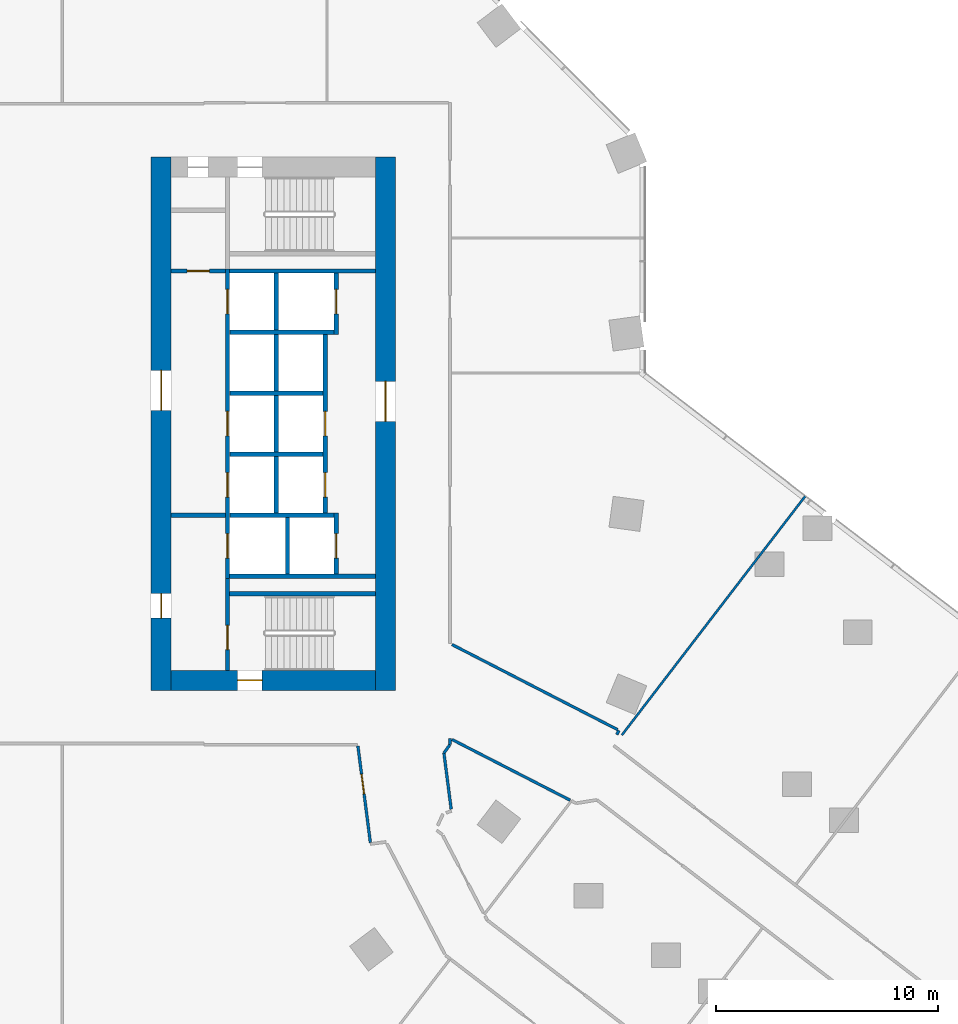
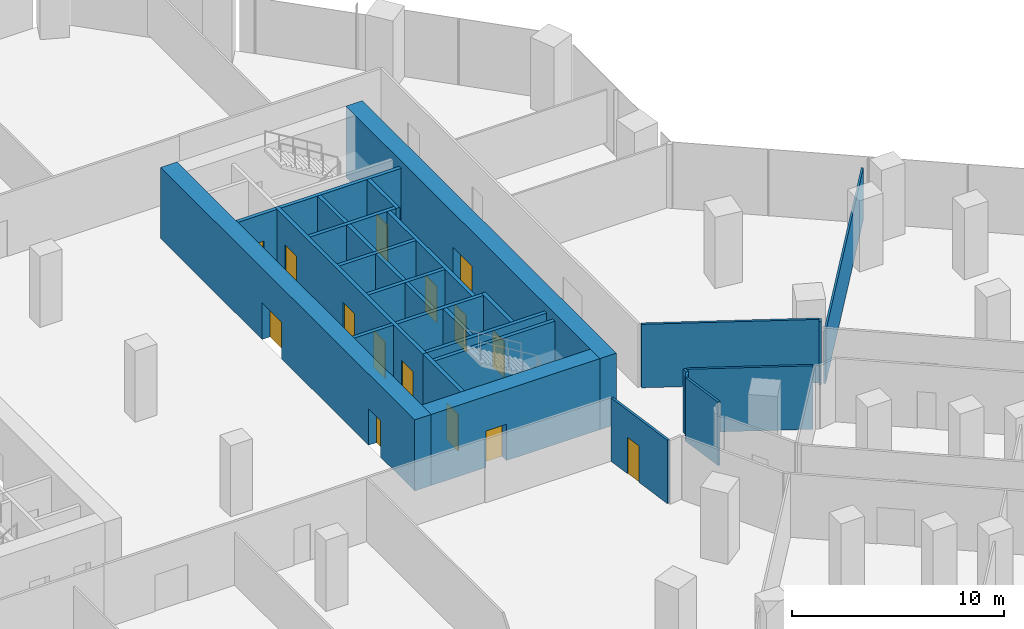
# One storey, part 25 of 29: 30 walls, 15 doors, 15 openings.
"""IFC4 building model written with IfcOpenShell, lengths in metres."""

from ifc_helpers import new_model, si_unit, direction, frame, frame_2d, origin, place, context, subcontext, project, spatial, rectangle, extrude, material, layer, layer_set, type_object, element, fill, save


model = new_model("IFC4")

# Units and contexts
model_context = context("Model", 3, precision=1e-05, world=origin(), true_north=direction((0.0, 1.0)))
body_context = subcontext(model_context, "Body", "Model", "MODEL_VIEW")
ifc_project = project(units=[si_unit("LENGTHUNIT", "METRE"), si_unit("AREAUNIT", "SQUARE_METRE"), si_unit("VOLUMEUNIT", "CUBIC_METRE"), si_unit("PLANEANGLEUNIT", "RADIAN"), si_unit("MASSUNIT", "GRAM", prefix="KILO")], contexts=[model_context])

# Site, building, storey
site_placement = place(None, origin())
site = spatial("IfcSite", under=ifc_project, at=site_placement, CompositionType="ELEMENT")
building_placement = place(site_placement, origin())
building = spatial("IfcBuilding", under=site, at=building_placement, Name="Orlundy Tower", CompositionType="ELEMENT")
storey_placement = place(building_placement, frame((0.0, 0.0, 29.199951171875)))
storey = spatial("IfcBuildingStorey", under=building, at=storey_placement, Name="L05", CompositionType="ELEMENT", Elevation=29.199951171875)

# Wall, opening, door
ifc_material_1 = material(Name="Concrete C80/95", Category="concrete")
ifc_layer_1 = layer(ifc_material_1, 0.89990234375)
ifc_layer_set_1 = layer_set([ifc_layer_1], Name="CORE WALL 900 C80/95")
wall_type_1 = type_object("IfcWallType", Name="CORE WALL 900 C80/95", PredefinedType="SHEAR", material=ifc_layer_set_1)
wall_1_placement = place(storey_placement, frame((8.89990234375, -11.550048828125, 0.0), z_axis=(0.0, 0.0, 1.0), x_axis=(1.0, 0.0, 0.0)))
wall_1 = element("IfcWall", 1, at=wall_1_placement, inside=storey, type_object=wall_type_1, Name="Core wall E-S L05", PredefinedType="SHEAR", context=body_context, shape_type="SweptSolid", body=[
    extrude(rectangle(XDim=9.2001953125, YDim=0.89990234375, at=frame_2d((4.60009765625, 0.0))), origin(), (0.0, 0.0, 1.0), 4.10009765625),
])
opening_1_placement = place(wall_1_placement, frame((3.0, 0.0, 0.0)))
opening_1 = element("IfcOpeningElement", 2, at=opening_1_placement, cuts=wall_1, Name="Opening 06061", PredefinedType="OPENING", context=body_context, shape_type="SweptSolid", body=[
    extrude(rectangle(XDim=1.10009765625, YDim=2.10009765625, at=frame_2d((0.550048828125, 1.050048828125))), frame((0.0, 0.4599609375, 0.0), z_axis=(0.0, -1.0, 0.0), x_axis=(1.0, 0.0, 0.0)), (0.0, 0.0, 1.0), 0.919921875),
])
ifc_material_2 = material(Name="Steel door set", Category="steel")
door_type_1 = type_object("IfcDoorType", Name="Stair Door 1100x2100", OperationType="SINGLE_SWING_LEFT", PredefinedType="DOOR", material=ifc_material_2)
door_1_placement = place(opening_1_placement, origin())
door_1 = element("IfcDoor", 3, at=door_1_placement, inside=storey, type_object=door_type_1, Name="Stair door 06061", OperationType="SINGLE_SWING_LEFT", OverallHeight=2.10009765625, OverallWidth=1.10009765625, PredefinedType="DOOR", context=body_context, shape_type="SweptSolid", body=[
    extrude(rectangle(XDim=1.10009765625, YDim=2.10009765625, at=frame_2d((0.550048828125, 1.050048828125))), frame((0.0, 0.02490234375, 0.0), z_axis=(0.0, -1.0, 0.0), x_axis=(1.0, 0.0, 0.0)), (0.0, 0.0, 1.0), 0.050048828125),
])
fill(opening_1, door_1)

# Wall, openings, doors
wall_2_placement = place(storey_placement, frame((8.449951171875, -12.0, 0.0), z_axis=(0.0, 0.0, 1.0), x_axis=(0.0, 1.0, 0.0)))
wall_2 = element("IfcWall", 4, at=wall_2_placement, inside=storey, type_object=wall_type_1, Name="Core wall E-W L05", PredefinedType="SHEAR", context=body_context, shape_type="SweptSolid", body=[
    extrude(rectangle(XDim=24.0, YDim=0.89990234375, at=frame_2d((12.0, 0.0))), origin(), (0.0, 0.0, 1.0), 4.10009765625),
])
opening_2_placement = place(wall_2_placement, frame((12.60009765625, 0.0, 0.0)))
opening_2 = element("IfcOpeningElement", 5, at=opening_2_placement, cuts=wall_2, Name="Opening 06058", PredefinedType="OPENING", context=body_context, shape_type="SweptSolid", body=[
    extrude(rectangle(XDim=1.800048828125, YDim=2.10009765625, at=frame_2d((0.89990234375, 1.050048828125))), frame((0.0, 0.4599609375, 0.0), z_axis=(0.0, -1.0, 0.0), x_axis=(1.0, 0.0, 0.0)), (0.0, 0.0, 1.0), 0.919921875),
])
opening_3_placement = place(wall_2_placement, frame((3.25, 0.0, 0.0)))
opening_3 = element("IfcOpeningElement", 6, at=opening_3_placement, cuts=wall_2, Name="Opening 06060", PredefinedType="OPENING", context=body_context, shape_type="SweptSolid", body=[
    extrude(rectangle(XDim=1.10009765625, YDim=2.10009765625, at=frame_2d((0.550048828125, 1.050048828125))), frame((0.0, 0.4599609375, 0.0), z_axis=(0.0, -1.0, 0.0), x_axis=(1.0, 0.0, 0.0)), (0.0, 0.0, 1.0), 0.919921875),
])
ifc_material_3 = material(Name="Steel door set", Category="steel")
door_type_2 = type_object("IfcDoorType", Name="Fire-fighting Lobby Door 1100x2100", OperationType="SINGLE_SWING_LEFT", PredefinedType="DOOR", material=ifc_material_3)
door_2_placement = place(opening_3_placement, origin())
door_2 = element("IfcDoor", 7, at=door_2_placement, inside=storey, type_object=door_type_2, Name="Fire-fighting lobby door 06060", OperationType="SINGLE_SWING_LEFT", OverallHeight=2.10009765625, OverallWidth=1.10009765625, PredefinedType="DOOR", context=body_context, shape_type="SweptSolid", body=[
    extrude(rectangle(XDim=1.10009765625, YDim=2.10009765625, at=frame_2d((0.550048828125, 1.050048828125))), frame((0.0, 0.02490234375, 0.0), z_axis=(0.0, -1.0, 0.0), x_axis=(1.0, 0.0, 0.0)), (0.0, 0.0, 1.0), 0.050048828125),
])
fill(opening_3, door_2)
ifc_material_4 = material(Name="Timber door set", Category="wood")
door_type_3 = type_object("IfcDoorType", Name="Lobby Door 1800x2100", OperationType="DOUBLE_DOOR_DOUBLE_SWING", PredefinedType="DOOR", material=ifc_material_4)
door_3_placement = place(opening_2_placement, origin())
door_3 = element("IfcDoor", 8, at=door_3_placement, inside=storey, type_object=door_type_3, Name="Lift lobby door 06058", OperationType="SINGLE_SWING_RIGHT", OverallHeight=2.10009765625, OverallWidth=1.800048828125, PredefinedType="DOOR", context=body_context, shape_type="SweptSolid", body=[
    extrude(rectangle(XDim=1.800048828125, YDim=2.10009765625, at=frame_2d((0.89990234375, 1.050048828125))), frame((0.0, 0.02490234375, 0.0), z_axis=(0.0, -1.0, 0.0), x_axis=(1.0, 0.0, 0.0)), (0.0, 0.0, 1.0), 0.050048828125),
])
fill(opening_2, door_3)

# Wall, opening, door
wall_3_placement = place(storey_placement, frame((18.550048828125, -12.0, 0.0), z_axis=(0.0, 0.0, 1.0), x_axis=(0.0, 1.0, 0.0)))
wall_3 = element("IfcWall", 9, at=wall_3_placement, inside=storey, type_object=wall_type_1, Name="Core wall E-E L05", PredefinedType="SHEAR", context=body_context, shape_type="SweptSolid", body=[
    extrude(rectangle(XDim=24.0, YDim=0.89990234375, at=frame_2d((12.0, 0.0))), origin(), (0.0, 0.0, 1.0), 4.10009765625),
])
opening_4_placement = place(wall_3_placement, frame((12.10009765625, 0.0, 0.0)))
opening_4 = element("IfcOpeningElement", 10, at=opening_4_placement, cuts=wall_3, Name="Opening 06059", PredefinedType="OPENING", context=body_context, shape_type="SweptSolid", body=[
    extrude(rectangle(XDim=1.800048828125, YDim=2.10009765625, at=frame_2d((0.89990234375, 1.050048828125))), frame((0.0, 0.4599609375, 0.0), z_axis=(0.0, -1.0, 0.0), x_axis=(1.0, 0.0, 0.0)), (0.0, 0.0, 1.0), 0.919921875),
])
door_4_placement = place(opening_4_placement, origin())
door_4 = element("IfcDoor", 11, at=door_4_placement, inside=storey, type_object=door_type_3, Name="Lift lobby door 06059", OperationType="SINGLE_SWING_RIGHT", OverallHeight=2.10009765625, OverallWidth=1.800048828125, PredefinedType="DOOR", context=body_context, shape_type="SweptSolid", body=[
    extrude(rectangle(XDim=1.800048828125, YDim=2.10009765625, at=frame_2d((0.89990234375, 1.050048828125))), frame((0.0, 0.02490234375, 0.0), z_axis=(0.0, -1.0, 0.0), x_axis=(1.0, 0.0, 0.0)), (0.0, 0.0, 1.0), 0.050048828125),
])
fill(opening_4, door_4)

# Wall
ifc_material_5 = material(Name="Gypsum board partition")
ifc_layer_2 = layer(ifc_material_5, 0.10009765625)
ifc_layer_set_2 = layer_set([ifc_layer_2], Name="Floor partition 100 B")
wall_type_2 = type_object("IfcWallType", Name="Floor partition 100 B", PredefinedType="PARTITIONING", material=ifc_layer_set_2)
wall_4_placement = place(storey_placement, frame((29.194091796875, -14.014892578125, 0.0), z_axis=(0.0, 0.0, 1.0), x_axis=(0.608832188233, 0.793299039815, 0.0)))
element("IfcWall", 12, at=wall_4_placement, inside=storey, type_object=wall_type_2, Name="wall-int-L05-084", PredefinedType="PARTITIONING", context=body_context, shape_type="SweptSolid", body=[
    extrude(rectangle(XDim=13.59619140625, YDim=0.10009765625, at=frame_2d((6.798095703125, 0.0))), origin(), (0.0, 0.0, 1.0), 3.025146484375),
])

# Wall, opening, door
ifc_material_6 = material(Name="Gypsum board partition, double layer")
ifc_layer_3 = layer(ifc_material_6, 0.125)
ifc_layer_set_3 = layer_set([ifc_layer_3], Name="Floor partition 125")
wall_type_3 = type_object("IfcWallType", Name="Floor partition 125", PredefinedType="PARTITIONING", material=ifc_layer_set_3)
wall_5_placement = place(storey_placement, frame((17.87109375, -18.861083984375, 0.0), z_axis=(0.0, 0.0, 1.0), x_axis=(-0.127967803782, 0.991778322608, 0.0)))
wall_5 = element("IfcWall", 13, at=wall_5_placement, inside=storey, type_object=wall_type_3, Name="wall-int-L05-004", PredefinedType="PARTITIONING", context=body_context, shape_type="SweptSolid", body=[
    extrude(rectangle(XDim=4.38427734375, YDim=0.125, at=frame_2d((2.192138671875, 0.0))), origin(), (0.0, 0.0, 1.0), 3.66015625),
])
opening_5_placement = place(wall_5_placement, frame((2.21240234375, 0.0, 0.0)))
opening_5 = element("IfcOpeningElement", 14, at=opening_5_placement, cuts=wall_5, Name="Opening 06129", PredefinedType="OPENING", context=body_context, shape_type="SweptSolid", body=[
    extrude(rectangle(XDim=0.89990234375, YDim=2.10009765625, at=frame_2d((0.449951171875, 1.050048828125))), frame((0.0, 0.072509765625, 0.0), z_axis=(0.0, -1.0, 0.0), x_axis=(1.0, 0.0, 0.0)), (0.0, 0.0, 1.0), 0.14501953125),
])
ifc_material_7 = material(Name="Timber door leaf", Category="wood")
door_type_4 = type_object("IfcDoorType", Name="Floor door single 900 FD30S", OperationType="NOTDEFINED", PredefinedType="DOOR", material=ifc_material_7)
door_5_placement = place(opening_5_placement, origin())
door_5 = element("IfcDoor", 15, at=door_5_placement, inside=storey, type_object=door_type_4, Name="Door 06129", OperationType="SINGLE_SWING_RIGHT", OverallHeight=2.10009765625, OverallWidth=0.89990234375, PredefinedType="DOOR", context=body_context, shape_type="SweptSolid", body=[
    extrude(rectangle(XDim=0.89990234375, YDim=2.10009765625, at=frame_2d((0.449951171875, 1.050048828125))), frame((0.0, 0.02490234375, 0.0), z_axis=(0.0, -1.0, 0.0), x_axis=(1.0, 0.0, 0.0)), (0.0, 0.0, 1.0), 0.050048828125),
])
fill(opening_5, door_5)

# Walls
wall_6_placement = place(storey_placement, frame((21.181884765625, -14.825927734375, 0.0), z_axis=(0.0, 0.0, 1.0), x_axis=(0.128335992274, -0.991730746265, 0.0)))
element("IfcWall", 16, at=wall_6_placement, inside=storey, type_object=wall_type_3, Name="wall-int-L05-005", PredefinedType="PARTITIONING", context=body_context, shape_type="SweptSolid", body=[
    extrude(rectangle(XDim=2.549072265625, YDim=0.125, at=frame_2d((1.2744140625, 0.0))), origin(), (0.0, 0.0, 1.0), 3.66015625),
])
wall_7_placement = place(storey_placement, frame((21.541015625, -14.214111328125, 0.0), z_axis=(0.0, 0.0, 1.0), x_axis=(0.889437525622, -0.457056766732, 0.0)))
element("IfcWall", 17, at=wall_7_placement, inside=storey, type_object=wall_type_3, Name="wall-int-L05-036", PredefinedType="PARTITIONING", context=body_context, shape_type="SweptSolid", body=[
    extrude(rectangle(XDim=5.98583984375, YDim=0.125, at=frame_2d((2.992919921875, 0.0))), origin(), (0.0, 0.0, 1.0), 3.66015625),
])
wall_8_placement = place(storey_placement, frame((21.541015625, -9.93994140625, 0.0), z_axis=(0.0, 0.0, 1.0), x_axis=(0.889469569246, -0.456994404107, 0.0)))
element("IfcWall", 18, at=wall_8_placement, inside=storey, type_object=wall_type_3, Name="wall-int-L05-037", PredefinedType="PARTITIONING", context=body_context, shape_type="SweptSolid", body=[
    extrude(rectangle(XDim=8.393798828125, YDim=0.125, at=frame_2d((4.19677734375, 0.0))), origin(), (0.0, 0.0, 1.0), 3.66015625),
])
wall_9_placement = place(storey_placement, frame((21.181884765625, -14.825927734375, 0.0), z_axis=(0.0, 0.0, 1.0), x_axis=(0.581538757464, 0.813518698966, 0.0)))
element("IfcWall", 19, at=wall_9_placement, inside=storey, type_object=wall_type_3, Name="wall-int-L05-041", PredefinedType="PARTITIONING", context=body_context, shape_type="SweptSolid", body=[
    extrude(rectangle(XDim=0.4609375, YDim=0.125, at=frame_2d((0.23046875, 0.0))), origin(), (0.0, 0.0, 1.0), 3.66015625),
])
wall_10_placement = place(storey_placement, frame((28.9619140625, -14.0, 0.0), z_axis=(0.0, 0.0, 1.0), x_axis=(0.458358127557, 0.8887675888, 0.0)))
element("IfcWall", 20, at=wall_10_placement, inside=storey, type_object=wall_type_3, Name="wall-int-L05-085", PredefinedType="PARTITIONING", context=body_context, shape_type="SweptSolid", body=[
    extrude(rectangle(XDim=0.21826171875, YDim=0.125, at=frame_2d((0.109130859375, 0.0))), origin(), (0.0, 0.0, 1.0), 3.66015625),
])
wall_11_placement = place(storey_placement, frame((21.449951171875, -14.450927734375, 0.0), z_axis=(0.0, 0.0, 1.0), x_axis=(0.0, 1.0, 0.0)))
element("IfcWall", 21, at=wall_11_placement, inside=storey, type_object=wall_type_3, Name="wall-int-L05-090", PredefinedType="PARTITIONING", context=body_context, shape_type="SweptSolid", body=[
    extrude(rectangle(XDim=0.283935546875, YDim=0.125, at=frame_2d((0.14208984375, 0.0))), origin(), (0.0, 0.0, 1.0), 3.66015625),
])

# Wall, opening, door
ifc_material_8 = material(Name="Concrete C40/50", Category="concrete")
ifc_layer_4 = layer(ifc_material_8, 0.199951171875)
ifc_layer_set_4 = layer_set([ifc_layer_4], Name="Load-bearing Shaft Wall 200")
wall_type_4 = type_object("IfcWallType", Name="Load-bearing Shaft Wall 200", PredefinedType="SOLIDWALL", material=ifc_layer_set_4)
wall_12_placement = place(storey_placement, frame((11.43994140625, -6.97509765625, 0.0), z_axis=(0.0, 0.0, 1.0), x_axis=(0.0, -1.0, 0.0)))
wall_12 = element("IfcWall", 22, at=wall_12_placement, inside=storey, type_object=wall_type_4, Name="Shaft wall E06-stair-end-n", PredefinedType="SOLIDWALL", context=body_context, shape_type="SweptSolid", body=[
    extrude(rectangle(XDim=4.125, YDim=0.199951171875, at=frame_2d((2.0625, 0.0))), origin(), (0.0, 0.0, 1.0), 3.679931640625),
])
opening_6_placement = place(wall_12_placement, frame((2.10009765625, 0.0, 0.0)))
opening_6 = element("IfcOpeningElement", 23, at=opening_6_placement, cuts=wall_12, Name="Opening 06063", PredefinedType="OPENING", context=body_context, shape_type="SweptSolid", body=[
    extrude(rectangle(XDim=1.10009765625, YDim=2.10009765625, at=frame_2d((0.550048828125, 1.050048828125))), frame((0.0, 0.110107421875, 0.0), z_axis=(0.0, -1.0, 0.0), x_axis=(1.0, 0.0, 0.0)), (0.0, 0.0, 1.0), 0.22021484375),
])
door_6_placement = place(opening_6_placement, origin())
door_6 = element("IfcDoor", 24, at=door_6_placement, inside=storey, type_object=door_type_2, Name="Fire-fighting lobby to stair door 06063", OperationType="SINGLE_SWING_RIGHT", OverallHeight=2.10009765625, OverallWidth=1.10009765625, PredefinedType="DOOR", context=body_context, shape_type="SweptSolid", body=[
    extrude(rectangle(XDim=1.10009765625, YDim=2.10009765625, at=frame_2d((0.550048828125, 1.050048828125))), frame((0.0, 0.02490234375, 0.0), z_axis=(0.0, -1.0, 0.0), x_axis=(1.0, 0.0, 0.0)), (0.0, 0.0, 1.0), 0.050048828125),
])
fill(opening_6, door_6)

# Walls
wall_13_placement = place(storey_placement, frame((11.5400390625, -7.64990234375, 0.0), z_axis=(0.0, 0.0, 1.0), x_axis=(1.0, 0.0, 0.0)))
element("IfcWall", 25, at=wall_13_placement, inside=storey, type_object=wall_type_4, Name="Shaft wall E06-stair-side-n", PredefinedType="SOLIDWALL", context=body_context, shape_type="SweptSolid", body=[
    extrude(rectangle(XDim=6.56005859375, YDim=0.199951171875, at=frame_2d((3.280029296875, 0.0))), origin(), (0.0, 0.0, 1.0), 3.679931640625),
])
ifc_material_9 = material(Name="Gypsum board partition on steel studs", Category="steel")
ifc_layer_5 = layer(ifc_material_9, 0.199951171875)
ifc_layer_set_5 = layer_set([ifc_layer_5], Name="Partition 200")
wall_type_5 = type_object("IfcWallType", Name="Partition 200", PredefinedType="PARTITIONING", material=ifc_layer_set_5)
wall_14_placement = place(storey_placement, frame((8.89990234375, -4.125, 0.0), z_axis=(0.0, 0.0, 1.0), x_axis=(1.0, 0.0, 0.0)))
element("IfcWall", 26, at=wall_14_placement, inside=storey, type_object=wall_type_5, Name="Partition wall E06-lobby-n", PredefinedType="PARTITIONING", context=body_context, shape_type="SweptSolid", body=[
    extrude(rectangle(XDim=2.440185546875, YDim=0.199951171875, at=frame_2d((1.22021484375, 0.0))), origin(), (0.0, 0.0, 1.0), 3.679931640625),
])

# Wall, opening, door
wall_15_placement = place(storey_placement, frame((8.89990234375, 6.875, 0.0), z_axis=(0.0, 0.0, 1.0), x_axis=(1.0, 0.0, 0.0)))
wall_15 = element("IfcWall", 27, at=wall_15_placement, inside=storey, type_object=wall_type_5, Name="Partition wall E06-end-s", PredefinedType="PARTITIONING", context=body_context, shape_type="SweptSolid", body=[
    extrude(rectangle(XDim=2.440185546875, YDim=0.199951171875, at=frame_2d((1.22021484375, 0.0))), origin(), (0.0, 0.0, 1.0), 3.679931640625),
])
opening_7_placement = place(wall_15_placement, frame((0.719970703125, 0.0, 0.0)))
opening_7 = element("IfcOpeningElement", 28, at=opening_7_placement, cuts=wall_15, Name="Opening 06065", PredefinedType="OPENING", context=body_context, shape_type="SweptSolid", body=[
    extrude(rectangle(XDim=1.0, YDim=2.10009765625, at=frame_2d((0.5, 1.050048828125))), frame((0.0, 0.110107421875, 0.0), z_axis=(0.0, -1.0, 0.0), x_axis=(1.0, 0.0, 0.0)), (0.0, 0.0, 1.0), 0.22021484375),
])
ifc_material_10 = material(Name="Timber door set", Category="wood")
door_type_5 = type_object("IfcDoorType", Name="Accessible Door 1000x2100", OperationType="SINGLE_SWING_LEFT", PredefinedType="DOOR", material=ifc_material_10)
door_7_placement = place(opening_7_placement, origin())
door_7 = element("IfcDoor", 29, at=door_7_placement, inside=storey, type_object=door_type_5, Name="Accessible WC door 06065", OperationType="SINGLE_SWING_RIGHT", OverallHeight=2.10009765625, OverallWidth=1.0, PredefinedType="DOOR", context=body_context, shape_type="SweptSolid", body=[
    extrude(rectangle(XDim=1.0, YDim=2.10009765625, at=frame_2d((0.5, 1.050048828125))), frame((0.0, 0.02490234375, 0.0), z_axis=(0.0, -1.0, 0.0), x_axis=(1.0, 0.0, 0.0)), (0.0, 0.0, 1.0), 0.050048828125),
])
fill(opening_7, door_7)

# Walls
ifc_material_11 = material(Name="Fire-rated blockwork shaft wall", Category="masonry")
ifc_layer_6 = layer(ifc_material_11, 0.199951171875)
ifc_layer_set_6 = layer_set([ifc_layer_6], Name="Shaft Wall 200")
wall_type_6 = type_object("IfcWallType", Name="Shaft Wall 200", PredefinedType="SOLIDWALL", material=ifc_layer_set_6)
for number, where, z_axis, x_axis, name in (
    (30, (11.5400390625, -6.875, 0.0), (0.0, 0.0, 1.0), (1.0, 0.0, 0.0), "Shaft wall E06-zone-n"),
    (31, (11.5400390625, 6.875, 0.0), (0.0, 0.0, 1.0), (1.0, 0.0, 0.0), "Shaft wall E06-zone-s"),
):
    element("IfcWall", number, at=place(storey_placement, frame(where, z_axis=z_axis, x_axis=x_axis)), inside=storey, type_object=wall_type_6, Name=name, PredefinedType="SOLIDWALL", context=body_context, shape_type="SweptSolid", body=[
        extrude(rectangle(XDim=6.56005859375, YDim=0.199951171875, at=frame_2d((3.280029296875, 0.0))), origin(), (0.0, 0.0, 1.0), 3.679931640625),
    ])
wall_16_placement = place(storey_placement, frame((11.5400390625, 4.125, 0.0), z_axis=(0.0, 0.0, 1.0), x_axis=(1.0, 0.0, 0.0)))
element("IfcWall", 32, at=wall_16_placement, inside=storey, type_object=wall_type_6, Name="Shaft wall E06-cross-4.125", PredefinedType="SOLIDWALL", context=body_context, shape_type="SweptSolid", body=[
    extrude(rectangle(XDim=4.699951171875, YDim=0.199951171875, at=frame_2d((2.35009765625, 0.0))), origin(), (0.0, 0.0, 1.0), 3.679931640625),
])
for number, where, z_axis, x_axis, name in (
    (33, (11.5400390625, 1.375, 0.0), (0.0, 0.0, 1.0), (1.0, 0.0, 0.0), "Shaft wall E06-cross-1.375"),
    (34, (11.5400390625, -1.375, 0.0), (0.0, 0.0, 1.0), (1.0, 0.0, 0.0), "Shaft wall E06-cross+1.375"),
):
    element("IfcWall", number, at=place(storey_placement, frame(where, z_axis=z_axis, x_axis=x_axis)), inside=storey, type_object=wall_type_6, Name=name, PredefinedType="SOLIDWALL", context=body_context, shape_type="SweptSolid", body=[
        extrude(rectangle(XDim=4.199951171875, YDim=0.199951171875, at=frame_2d((2.10009765625, 0.0))), origin(), (0.0, 0.0, 1.0), 3.679931640625),
    ])
wall_17_placement = place(storey_placement, frame((11.5400390625, -4.125, 0.0), z_axis=(0.0, 0.0, 1.0), x_axis=(1.0, 0.0, 0.0)))
element("IfcWall", 35, at=wall_17_placement, inside=storey, type_object=wall_type_6, Name="Shaft wall E06-cross+4.125", PredefinedType="SOLIDWALL", context=body_context, shape_type="SweptSolid", body=[
    extrude(rectangle(XDim=4.699951171875, YDim=0.199951171875, at=frame_2d((2.35009765625, 0.0))), origin(), (0.0, 0.0, 1.0), 3.679931640625),
])

# Wall, openings, doors
wall_18_placement = place(storey_placement, frame((11.43994140625, 6.97509765625, 0.0), z_axis=(0.0, 0.0, 1.0), x_axis=(0.0, -1.0, 0.0)))
wall_18 = element("IfcWall", 36, at=wall_18_placement, inside=storey, type_object=wall_type_6, Name="Shaft wall E06-front-h", PredefinedType="SOLIDWALL", context=body_context, shape_type="SweptSolid", body=[
    extrude(rectangle(XDim=13.9501953125, YDim=0.199951171875, at=frame_2d((6.97509765625, 0.0))), origin(), (0.0, 0.0, 1.0), 3.679931640625),
])
opening_8_placement = place(wall_18_placement, frame((0.925048828125, 0.0, 0.0)))
opening_8 = element("IfcOpeningElement", 37, at=opening_8_placement, cuts=wall_18, Name="Opening 06050", PredefinedType="OPENING", context=body_context, shape_type="SweptSolid", body=[
    extrude(rectangle(XDim=1.10009765625, YDim=2.10009765625, at=frame_2d((0.550048828125, 1.050048828125))), frame((0.0, 0.110107421875, 0.0), z_axis=(0.0, -1.0, 0.0), x_axis=(1.0, 0.0, 0.0)), (0.0, 0.0, 1.0), 0.22021484375),
])
opening_9_placement = place(wall_18_placement, frame((6.425048828125, 0.0, 0.0)))
opening_9 = element("IfcOpeningElement", 38, at=opening_9_placement, cuts=wall_18, Name="Opening 06052", PredefinedType="OPENING", context=body_context, shape_type="SweptSolid", body=[
    extrude(rectangle(XDim=1.10009765625, YDim=2.10009765625, at=frame_2d((0.550048828125, 1.050048828125))), frame((0.0, 0.110107421875, 0.0), z_axis=(0.0, -1.0, 0.0), x_axis=(1.0, 0.0, 0.0)), (0.0, 0.0, 1.0), 0.22021484375),
])
opening_10_placement = place(wall_18_placement, frame((9.175048828125, 0.0, 0.0)))
opening_10 = element("IfcOpeningElement", 39, at=opening_10_placement, cuts=wall_18, Name="Opening 06054", PredefinedType="OPENING", context=body_context, shape_type="SweptSolid", body=[
    extrude(rectangle(XDim=1.10009765625, YDim=2.10009765625, at=frame_2d((0.550048828125, 1.050048828125))), frame((0.0, 0.110107421875, 0.0), z_axis=(0.0, -1.0, 0.0), x_axis=(1.0, 0.0, 0.0)), (0.0, 0.0, 1.0), 0.22021484375),
])
opening_11_placement = place(wall_18_placement, frame((11.925048828125, 0.0, 0.0)))
opening_11 = element("IfcOpeningElement", 40, at=opening_11_placement, cuts=wall_18, Name="Opening 06056", PredefinedType="OPENING", context=body_context, shape_type="SweptSolid", body=[
    extrude(rectangle(XDim=1.10009765625, YDim=2.10009765625, at=frame_2d((0.550048828125, 1.050048828125))), frame((0.0, 0.110107421875, 0.0), z_axis=(0.0, -1.0, 0.0), x_axis=(1.0, 0.0, 0.0)), (0.0, 0.0, 1.0), 0.22021484375),
])
ifc_material_12 = material(Name="Steel door set", Category="steel")
door_type_6 = type_object("IfcDoorType", Name="Landing Door 1100x2100", OperationType="DOUBLE_DOOR_SLIDING", PredefinedType="DOOR", material=ifc_material_12)
door_8_placement = place(opening_8_placement, origin())
door_8 = element("IfcDoor", 41, at=door_8_placement, inside=storey, type_object=door_type_6, Name="Lift landing door LPD-02 06050", OperationType="DOUBLE_DOOR_SLIDING", OverallHeight=2.10009765625, OverallWidth=1.10009765625, PredefinedType="DOOR", context=body_context, shape_type="SweptSolid", body=[
    extrude(rectangle(XDim=1.10009765625, YDim=2.10009765625, at=frame_2d((0.550048828125, 1.050048828125))), frame((0.0, 0.02490234375, 0.0), z_axis=(0.0, -1.0, 0.0), x_axis=(1.0, 0.0, 0.0)), (0.0, 0.0, 1.0), 0.050048828125),
])
fill(opening_8, door_8)
door_9_placement = place(opening_9_placement, origin())
door_9 = element("IfcDoor", 42, at=door_9_placement, inside=storey, type_object=door_type_6, Name="Lift landing door LP-10 06052", OperationType="DOUBLE_DOOR_SLIDING", OverallHeight=2.10009765625, OverallWidth=1.10009765625, PredefinedType="DOOR", context=body_context, shape_type="SweptSolid", body=[
    extrude(rectangle(XDim=1.10009765625, YDim=2.10009765625, at=frame_2d((0.550048828125, 1.050048828125))), frame((0.0, 0.02490234375, 0.0), z_axis=(0.0, -1.0, 0.0), x_axis=(1.0, 0.0, 0.0)), (0.0, 0.0, 1.0), 0.050048828125),
])
fill(opening_9, door_9)
door_10_placement = place(opening_10_placement, origin())
door_10 = element("IfcDoor", 43, at=door_10_placement, inside=storey, type_object=door_type_6, Name="Lift landing door LP-07 06054", OperationType="DOUBLE_DOOR_SLIDING", OverallHeight=2.10009765625, OverallWidth=1.10009765625, PredefinedType="DOOR", context=body_context, shape_type="SweptSolid", body=[
    extrude(rectangle(XDim=1.10009765625, YDim=2.10009765625, at=frame_2d((0.550048828125, 1.050048828125))), frame((0.0, 0.02490234375, 0.0), z_axis=(0.0, -1.0, 0.0), x_axis=(1.0, 0.0, 0.0)), (0.0, 0.0, 1.0), 0.050048828125),
])
fill(opening_10, door_10)
door_11_placement = place(opening_11_placement, origin())
door_11 = element("IfcDoor", 44, at=door_11_placement, inside=storey, type_object=door_type_6, Name="Lift landing door FL2 06056", OperationType="DOUBLE_DOOR_SLIDING", OverallHeight=2.10009765625, OverallWidth=1.10009765625, PredefinedType="DOOR", context=body_context, shape_type="SweptSolid", body=[
    extrude(rectangle(XDim=1.10009765625, YDim=2.10009765625, at=frame_2d((0.550048828125, 1.050048828125))), frame((0.0, 0.02490234375, 0.0), z_axis=(0.0, -1.0, 0.0), x_axis=(1.0, 0.0, 0.0)), (0.0, 0.0, 1.0), 0.050048828125),
])
fill(opening_11, door_11)

# Walls
for number, where, z_axis, x_axis, name in (
    (45, (13.639892578125, 6.77490234375, 0.0), (0.0, 0.0, 1.0), (0.0, -1.0, 0.0), "Shaft wall E06-mid-a"),
    (46, (13.639892578125, 4.02490234375, 0.0), (0.0, 0.0, 1.0), (0.0, -1.0, 0.0), "Shaft wall E06-mid-a.1"),
    (47, (13.639892578125, 1.27490234375, 0.0), (0.0, 0.0, 1.0), (0.0, -1.0, 0.0), "Shaft wall E06-mid-a.2"),
    (48, (13.639892578125, -1.47509765625, 0.0), (0.0, 0.0, 1.0), (0.0, -1.0, 0.0), "Shaft wall E06-mid-a.3"),
    (49, (14.139892578125, -4.22509765625, 0.0), (0.0, 0.0, 1.0), (0.0, -1.0, 0.0), "Shaft wall E06-mid-b"),
):
    element("IfcWall", number, at=place(storey_placement, frame(where, z_axis=z_axis, x_axis=x_axis)), inside=storey, type_object=wall_type_6, Name=name, PredefinedType="SOLIDWALL", context=body_context, shape_type="SweptSolid", body=[
        extrude(rectangle(XDim=2.5498046875, YDim=0.199951171875, at=frame_2d((1.27490234375, 0.0))), origin(), (0.0, 0.0, 1.0), 3.679931640625),
    ])

# Wall, opening, door
wall_19_placement = place(storey_placement, frame((16.340087890625, 6.77490234375, 0.0), z_axis=(0.0, 0.0, 1.0), x_axis=(0.0, -1.0, 0.0)))
wall_19 = element("IfcWall", 50, at=wall_19_placement, inside=storey, type_object=wall_type_6, Name="Shaft wall E06-front-o-a", PredefinedType="SOLIDWALL", context=body_context, shape_type="SweptSolid", body=[
    extrude(rectangle(XDim=2.75, YDim=0.199951171875, at=frame_2d((1.375, 0.0))), origin(), (0.0, 0.0, 1.0), 3.679931640625),
])
opening_12_placement = place(wall_19_placement, frame((0.72509765625, 0.0, 0.0)))
opening_12 = element("IfcOpeningElement", 51, at=opening_12_placement, cuts=wall_19, Name="Opening 06051", PredefinedType="OPENING", context=body_context, shape_type="SweptSolid", body=[
    extrude(rectangle(XDim=1.10009765625, YDim=2.10009765625, at=frame_2d((0.550048828125, 1.050048828125))), frame((0.0, 0.110107421875, 0.0), z_axis=(0.0, -1.0, 0.0), x_axis=(1.0, 0.0, 0.0)), (0.0, 0.0, 1.0), 0.22021484375),
])
door_12_placement = place(opening_12_placement, origin())
door_12 = element("IfcDoor", 52, at=door_12_placement, inside=storey, type_object=door_type_6, Name="Lift landing door LV-02 06051", OperationType="DOUBLE_DOOR_SLIDING", OverallHeight=2.10009765625, OverallWidth=1.10009765625, PredefinedType="DOOR", context=body_context, shape_type="SweptSolid", body=[
    extrude(rectangle(XDim=1.10009765625, YDim=2.10009765625, at=frame_2d((0.550048828125, 1.050048828125))), frame((0.0, 0.02490234375, 0.0), z_axis=(0.0, -1.0, 0.0), x_axis=(1.0, 0.0, 0.0)), (0.0, 0.0, 1.0), 0.050048828125),
])
fill(opening_12, door_12)

# Wall, openings, doors
wall_20_placement = place(storey_placement, frame((15.840087890625, 4.02490234375, 0.0), z_axis=(0.0, 0.0, 1.0), x_axis=(0.0, -1.0, 0.0)))
wall_20 = element("IfcWall", 53, at=wall_20_placement, inside=storey, type_object=wall_type_6, Name="Shaft wall E06-front-o-b", PredefinedType="SOLIDWALL", context=body_context, shape_type="SweptSolid", body=[
    extrude(rectangle(XDim=8.0498046875, YDim=0.199951171875, at=frame_2d((4.02490234375, 0.0))), origin(), (0.0, 0.0, 1.0), 3.679931640625),
])
opening_13_placement = place(wall_20_placement, frame((3.47509765625, 0.0, 0.0)))
opening_13 = element("IfcOpeningElement", 54, at=opening_13_placement, cuts=wall_20, Name="Opening 06053", PredefinedType="OPENING", context=body_context, shape_type="SweptSolid", body=[
    extrude(rectangle(XDim=1.10009765625, YDim=2.10009765625, at=frame_2d((0.550048828125, 1.050048828125))), frame((0.0, 0.110107421875, 0.0), z_axis=(0.0, -1.0, 0.0), x_axis=(1.0, 0.0, 0.0)), (0.0, 0.0, 1.0), 0.22021484375),
])
opening_14_placement = place(wall_20_placement, frame((6.22509765625, 0.0, 0.0)))
opening_14 = element("IfcOpeningElement", 55, at=opening_14_placement, cuts=wall_20, Name="Opening 06055", PredefinedType="OPENING", context=body_context, shape_type="SweptSolid", body=[
    extrude(rectangle(XDim=1.10009765625, YDim=2.10009765625, at=frame_2d((0.550048828125, 1.050048828125))), frame((0.0, 0.110107421875, 0.0), z_axis=(0.0, -1.0, 0.0), x_axis=(1.0, 0.0, 0.0)), (0.0, 0.0, 1.0), 0.22021484375),
])
door_13_placement = place(opening_13_placement, origin())
door_13 = element("IfcDoor", 56, at=door_13_placement, inside=storey, type_object=door_type_6, Name="Lift landing door LP-06 06053", OperationType="DOUBLE_DOOR_SLIDING", OverallHeight=2.10009765625, OverallWidth=1.10009765625, PredefinedType="DOOR", context=body_context, shape_type="SweptSolid", body=[
    extrude(rectangle(XDim=1.10009765625, YDim=2.10009765625, at=frame_2d((0.550048828125, 1.050048828125))), frame((0.0, 0.02490234375, 0.0), z_axis=(0.0, -1.0, 0.0), x_axis=(1.0, 0.0, 0.0)), (0.0, 0.0, 1.0), 0.050048828125),
])
fill(opening_13, door_13)
door_14_placement = place(opening_14_placement, origin())
door_14 = element("IfcDoor", 57, at=door_14_placement, inside=storey, type_object=door_type_6, Name="Lift landing door LP-08 06055", OperationType="DOUBLE_DOOR_SLIDING", OverallHeight=2.10009765625, OverallWidth=1.10009765625, PredefinedType="DOOR", context=body_context, shape_type="SweptSolid", body=[
    extrude(rectangle(XDim=1.10009765625, YDim=2.10009765625, at=frame_2d((0.550048828125, 1.050048828125))), frame((0.0, 0.02490234375, 0.0), z_axis=(0.0, -1.0, 0.0), x_axis=(1.0, 0.0, 0.0)), (0.0, 0.0, 1.0), 0.050048828125),
])
fill(opening_14, door_14)

# Wall, opening, door
wall_21_placement = place(storey_placement, frame((16.340087890625, -4.02490234375, 0.0), z_axis=(0.0, 0.0, 1.0), x_axis=(0.0, -1.0, 0.0)))
wall_21 = element("IfcWall", 58, at=wall_21_placement, inside=storey, type_object=wall_type_6, Name="Shaft wall E06-front-o-c", PredefinedType="SOLIDWALL", context=body_context, shape_type="SweptSolid", body=[
    extrude(rectangle(XDim=2.75, YDim=0.199951171875, at=frame_2d((1.375, 0.0))), origin(), (0.0, 0.0, 1.0), 3.679931640625),
])
opening_15_placement = place(wall_21_placement, frame((0.925048828125, 0.0, 0.0)))
opening_15 = element("IfcOpeningElement", 59, at=opening_15_placement, cuts=wall_21, Name="Opening 06057", PredefinedType="OPENING", context=body_context, shape_type="SweptSolid", body=[
    extrude(rectangle(XDim=1.10009765625, YDim=2.10009765625, at=frame_2d((0.550048828125, 1.050048828125))), frame((0.0, 0.110107421875, 0.0), z_axis=(0.0, -1.0, 0.0), x_axis=(1.0, 0.0, 0.0)), (0.0, 0.0, 1.0), 0.22021484375),
])
door_15_placement = place(opening_15_placement, origin())
door_15 = element("IfcDoor", 60, at=door_15_placement, inside=storey, type_object=door_type_6, Name="Lift landing door LP-09 06057", OperationType="DOUBLE_DOOR_SLIDING", OverallHeight=2.10009765625, OverallWidth=1.10009765625, PredefinedType="DOOR", context=body_context, shape_type="SweptSolid", body=[
    extrude(rectangle(XDim=1.10009765625, YDim=2.10009765625, at=frame_2d((0.550048828125, 1.050048828125))), frame((0.0, 0.02490234375, 0.0), z_axis=(0.0, -1.0, 0.0), x_axis=(1.0, 0.0, 0.0)), (0.0, 0.0, 1.0), 0.050048828125),
])
fill(opening_15, door_15)

save(model, "model.ifc")
